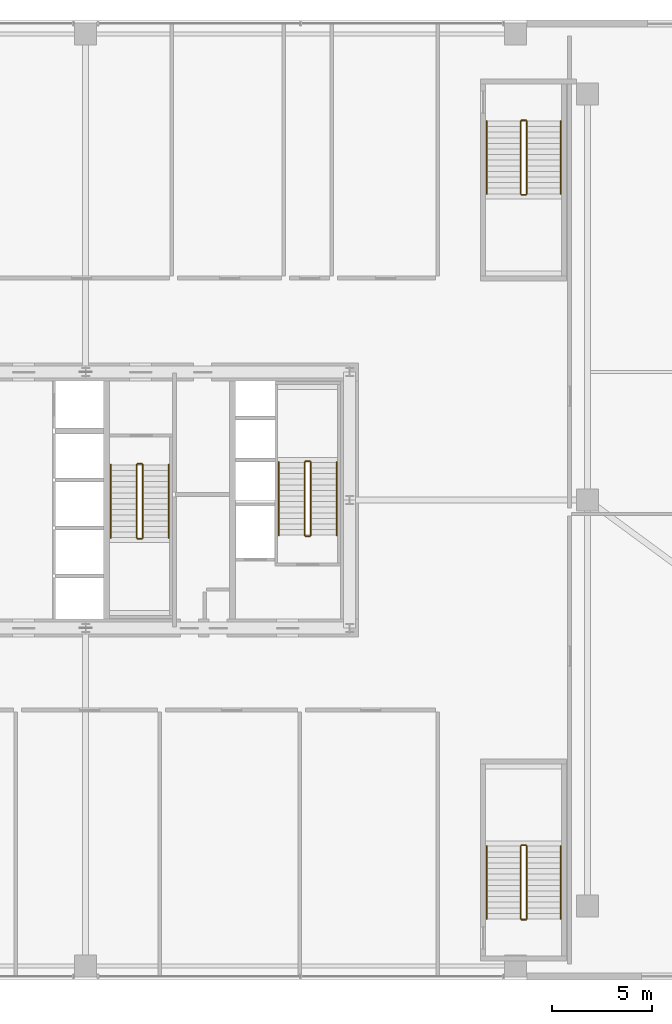
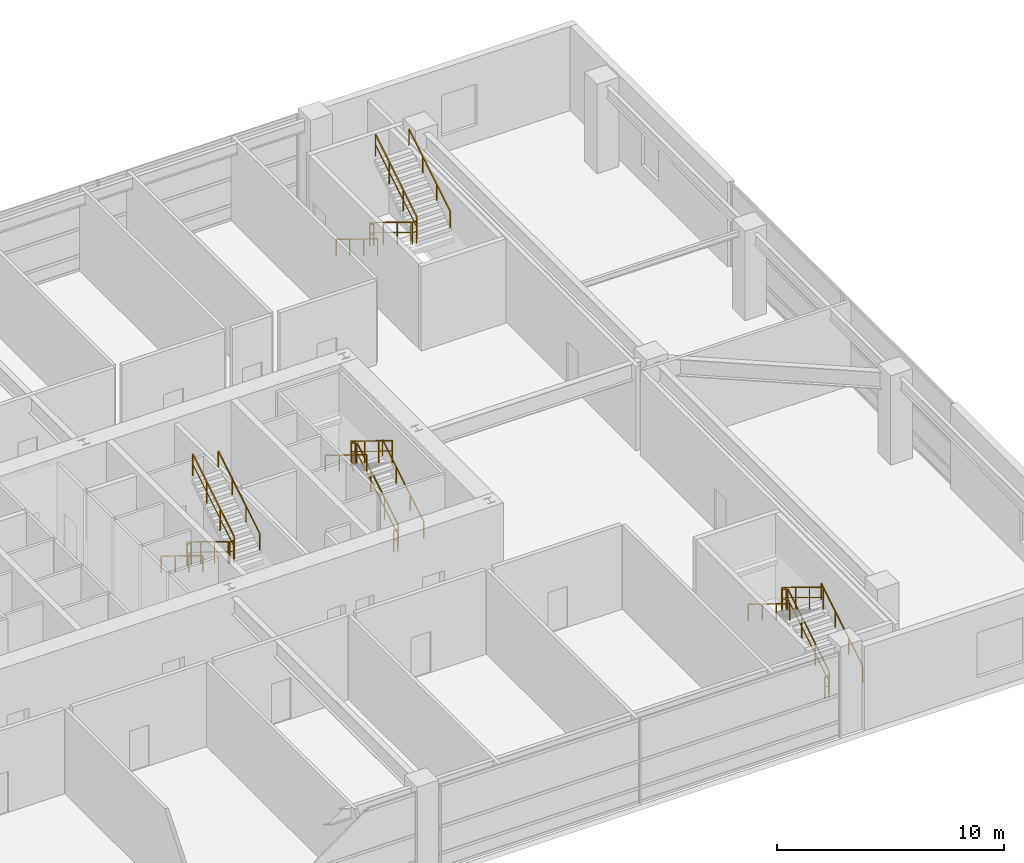
# One storey, part 39 of 39: 24 railings.
"""IFC4 building model written with IfcOpenShell, lengths in metres."""

from ifc_helpers import new_model, si_unit, direction, frame, origin, origin_2d, place, context, subcontext, project, spatial, rectangle, extrude, source, transform, mapped, material, layer, layer_set, type_object, element, save


model = new_model("IFC4")

# Units and contexts
model_context = context("Model", 3, precision=1e-05, world=origin(), true_north=direction((0.0, 1.0)))
body_context = subcontext(model_context, "Body", "Model", "MODEL_VIEW")
ifc_project = project(units=[si_unit("LENGTHUNIT", "METRE"), si_unit("AREAUNIT", "SQUARE_METRE"), si_unit("VOLUMEUNIT", "CUBIC_METRE"), si_unit("PLANEANGLEUNIT", "RADIAN"), si_unit("MASSUNIT", "GRAM", prefix="KILO"), si_unit("THERMODYNAMICTEMPERATUREUNIT", "KELVIN"), si_unit("POWERUNIT", "WATT")], contexts=[model_context])

# Site, building, storey
site_placement = place(None, origin())
site = spatial("IfcSite", under=ifc_project, at=site_placement, CompositionType="ELEMENT")
building_placement = place(site_placement, origin())
building = spatial("IfcBuilding", under=site, at=building_placement, Name="Yuzanri Waterfront Tower", CompositionType="ELEMENT")
storey_placement = place(building_placement, frame((0.0, 0.0, 15.0)))
storey = spatial("IfcBuildingStorey", under=building, at=storey_placement, Name="L04", CompositionType="ELEMENT", Elevation=15.0)

# Railings
ifc_material_1 = material(Name="Painted Galvanized Fire Steel", Category="steel")
ifc_layer_1 = layer(ifc_material_1, 0.06005859375)
ifc_layer_set_1 = layer_set([ifc_layer_1], Name="Painted Galvanized Fire Steel")
railing_type_1 = type_object("IfcRailingType", Name="Painted Steel Stairwell Guardrail 1120", PredefinedType="GUARDRAIL", material=ifc_layer_set_1)
shared_shape_1 = source(origin(), body_context, "Body", "SweptSolid", [
    extrude(rectangle(XDim=0.050048828125, YDim=0.050048828125, at=origin_2d()), frame((0.0, 0.0, 1.1748046875), z_axis=(-1.0, 0.0, 0.0), x_axis=(0.0, -1.0, 0.0)), (0.0, 0.0, 1.0), 0.199951171875),
    extrude(rectangle(XDim=0.035888671875, YDim=0.030029296875, at=origin_2d()), frame((0.0, 0.0, 0.6240234375), z_axis=(-1.0, 0.0, 0.0), x_axis=(0.0, -1.0, 0.0)), (0.0, 0.0, 1.0), 0.199951171875),
    extrude(rectangle(XDim=0.0458984375, YDim=0.0458984375, at=origin_2d()), origin(), (0.0, 0.0, 1.0), 1.14990234375),
    extrude(rectangle(XDim=0.0458984375, YDim=0.0458984375, at=origin_2d()), frame((-0.199951171875, 0.0, 0.0)), (0.0, 0.0, 1.0), 1.14990234375),
])
for number, where, name in (
    (1, (48.199951171875, 27.72998046875, 2.39990234375), "L04 ST-02 stair guard 2"),
    (2, (48.199951171875, 23.989990234375, 0.0), "L04 ST-02 stair guard 4"),
    (3, (59.0, 8.5400390625, 2.39990234375), "L04 PST-02 stair guard 2"),
    (4, (59.0, 4.800048828125, 0.0), "L04 PST-02 stair guard 4"),
):
    element("IfcRailing", number, at=place(storey_placement, frame(where)), inside=storey, type_object=railing_type_1, Name=name, PredefinedType="GUARDRAIL", context=body_context, shape_type="MappedRepresentation", body=[
        mapped(shared_shape_1, transform((0.0, 0.0, 0.0), scale=1.0)),
    ])
shared_shape_2 = source(origin(), body_context, "Body", "SweptSolid", [
    extrude(rectangle(XDim=0.050048828125, YDim=0.050048828125, at=origin_2d()), frame((0.0, 0.0, 1.1748046875), z_axis=(0.0, 0.852850264322, 0.5221555579), x_axis=(-1.0, 0.0, 0.0)), (0.0, 0.0, 1.0), 4.267822265625),
    extrude(rectangle(XDim=0.035888671875, YDim=0.030029296875, at=origin_2d()), frame((0.0, 0.0, 0.6240234375), z_axis=(0.0, 0.852850264322, 0.5221555579), x_axis=(-1.0, 0.0, 0.0)), (0.0, 0.0, 1.0), 4.267822265625),
    extrude(rectangle(XDim=0.0458984375, YDim=0.0458984375, at=origin_2d()), origin(), (0.0, 0.0, 1.0), 1.14990234375),
    extrude(rectangle(XDim=0.0458984375, YDim=0.0458984375, at=origin_2d()), frame((0.0, 1.21337890625, 0.742919921875)), (0.0, 0.0, 1.0), 1.14990234375),
    extrude(rectangle(XDim=0.0458984375, YDim=0.0458984375, at=origin_2d()), frame((0.0, 2.426513671875, 1.485595703125)), (0.0, 0.0, 1.0), 1.14990234375),
    extrude(rectangle(XDim=0.0458984375, YDim=0.0458984375, at=origin_2d()), frame((0.0, 3.639892578125, 2.228515625)), (0.0, 0.0, 1.0), 1.14990234375),
])
for number, where, name in (
    (5, (48.25, 24.0400390625, 0.17138671875), "L04 ST-02 stair guard 1"),
    (6, (59.050048828125, 4.85009765625, 0.17138671875), "L04 PST-02 stair guard 1"),
    (7, (59.050048828125, 41.110107421875, 2.571533203125), "L04 PST-03 stair guard 3"),
):
    element("IfcRailing", number, at=place(storey_placement, frame(where)), inside=storey, type_object=railing_type_1, Name=name, PredefinedType="GUARDRAIL", context=body_context, shape_type="MappedRepresentation", body=[
        mapped(shared_shape_2, transform((0.0, 0.0, 0.0), scale=1.0)),
    ])
shared_shape_3 = source(origin(), body_context, "Body", "SweptSolid", [
    extrude(rectangle(XDim=0.050048828125, YDim=0.050048828125, at=origin_2d()), frame((0.0, 0.0, 1.1748046875), z_axis=(0.0, -0.852850264322, 0.5221555579), x_axis=(1.0, 0.0, 0.0)), (0.0, 0.0, 1.0), 4.267822265625),
    extrude(rectangle(XDim=0.035888671875, YDim=0.030029296875, at=origin_2d()), frame((0.0, 0.0, 0.6240234375), z_axis=(0.0, -0.852850264322, 0.5221555579), x_axis=(1.0, 0.0, 0.0)), (0.0, 0.0, 1.0), 4.267822265625),
    extrude(rectangle(XDim=0.0458984375, YDim=0.0458984375, at=origin_2d()), origin(), (0.0, 0.0, 1.0), 1.14990234375),
    extrude(rectangle(XDim=0.0458984375, YDim=0.0458984375, at=origin_2d()), frame((0.0, -1.21337890625, 0.742919921875)), (0.0, 0.0, 1.0), 1.14990234375),
    extrude(rectangle(XDim=0.0458984375, YDim=0.0458984375, at=origin_2d()), frame((0.0, -2.426513671875, 1.485595703125)), (0.0, 0.0, 1.0), 1.14990234375),
    extrude(rectangle(XDim=0.0458984375, YDim=0.0458984375, at=origin_2d()), frame((0.0, -3.639892578125, 2.228515625)), (0.0, 0.0, 1.0), 1.14990234375),
])
for number, where, name in (
    (8, (47.949951171875, 27.679931640625, 2.571533203125), "L04 ST-02 stair guard 3"),
    (9, (58.75, 8.489990234375, 2.571533203125), "L04 PST-02 stair guard 3"),
    (10, (58.75, 44.75, 0.17138671875), "L04 PST-03 stair guard 1"),
):
    element("IfcRailing", number, at=place(storey_placement, frame(where)), inside=storey, type_object=railing_type_1, Name=name, PredefinedType="GUARDRAIL", context=body_context, shape_type="MappedRepresentation", body=[
        mapped(shared_shape_3, transform((0.0, 0.0, 0.0), scale=1.0)),
    ])
ifc_material_2 = material(Name="Anodized Architectural Bronze", Category="metal")
ifc_layer_2 = layer(ifc_material_2, 0.050048828125)
ifc_layer_set_2 = layer_set([ifc_layer_2], Name="Anodized Architectural Bronze")
railing_type_2 = type_object("IfcRailingType", Name="Brushed Bronze Stair Pitch Handrail 920", PredefinedType="HANDRAIL", material=ifc_layer_set_2)
shared_shape_4 = source(origin(), body_context, "Body", "SweptSolid", [
    extrude(rectangle(XDim=0.050048828125, YDim=0.050048828125, at=origin_2d()), frame((0.0, 0.0, 0.875), z_axis=(0.0, 0.852850264322, 0.5221555579), x_axis=(-1.0, 0.0, 0.0)), (0.0, 0.0, 1.0), 4.267822265625),
    extrude(rectangle(XDim=0.0458984375, YDim=0.0458984375, at=origin_2d()), origin(), (0.0, 0.0, 1.0), 0.849853515625),
    extrude(rectangle(XDim=0.0458984375, YDim=0.0458984375, at=origin_2d()), frame((0.0, 1.21337890625, 0.742919921875)), (0.0, 0.0, 1.0), 0.849853515625),
    extrude(rectangle(XDim=0.0458984375, YDim=0.0458984375, at=origin_2d()), frame((0.0, 2.426513671875, 1.485595703125)), (0.0, 0.0, 1.0), 0.849853515625),
    extrude(rectangle(XDim=0.0458984375, YDim=0.0458984375, at=origin_2d()), frame((0.0, 3.639892578125, 2.228515625)), (0.0, 0.0, 1.0), 0.849853515625),
])
for number, where, name in (
    (11, (49.550048828125, 24.0400390625, 0.17138671875), "L04 ST-02 stair handrail 1"),
    (12, (60.75, 4.85009765625, 0.17138671875), "L04 PST-02 stair handrail 1"),
    (13, (60.75, 41.110107421875, 2.571533203125), "L04 PST-03 stair handrail 2"),
):
    element("IfcRailing", number, at=place(storey_placement, frame(where)), inside=storey, type_object=railing_type_2, Name=name, PredefinedType="HANDRAIL", context=body_context, shape_type="MappedRepresentation", body=[
        mapped(shared_shape_4, transform((0.0, 0.0, 0.0), scale=1.0)),
    ])
shared_shape_5 = source(origin(), body_context, "Body", "SweptSolid", [
    extrude(rectangle(XDim=0.050048828125, YDim=0.050048828125, at=origin_2d()), frame((0.0, 0.0, 0.875), z_axis=(0.0, -0.852850264322, 0.5221555579), x_axis=(1.0, 0.0, 0.0)), (0.0, 0.0, 1.0), 4.267822265625),
    extrude(rectangle(XDim=0.0458984375, YDim=0.0458984375, at=origin_2d()), origin(), (0.0, 0.0, 1.0), 0.849853515625),
    extrude(rectangle(XDim=0.0458984375, YDim=0.0458984375, at=origin_2d()), frame((0.0, -1.21337890625, 0.742919921875)), (0.0, 0.0, 1.0), 0.849853515625),
    extrude(rectangle(XDim=0.0458984375, YDim=0.0458984375, at=origin_2d()), frame((0.0, -2.426513671875, 1.485595703125)), (0.0, 0.0, 1.0), 0.849853515625),
    extrude(rectangle(XDim=0.0458984375, YDim=0.0458984375, at=origin_2d()), frame((0.0, -3.639892578125, 2.228515625)), (0.0, 0.0, 1.0), 0.849853515625),
])
for number, where, name in (
    (14, (46.64990234375, 27.679931640625, 2.571533203125), "L04 ST-02 stair handrail 2"),
    (15, (57.050048828125, 8.489990234375, 2.571533203125), "L04 PST-02 stair handrail 2"),
    (16, (57.050048828125, 44.75, 0.17138671875), "L04 PST-03 stair handrail 1"),
):
    element("IfcRailing", number, at=place(storey_placement, frame(where)), inside=storey, type_object=railing_type_2, Name=name, PredefinedType="HANDRAIL", context=body_context, shape_type="MappedRepresentation", body=[
        mapped(shared_shape_5, transform((0.0, 0.0, 0.0), scale=1.0)),
    ])
shared_shape_6 = source(origin(), body_context, "Body", "SweptSolid", [
    extrude(rectangle(XDim=0.050048828125, YDim=0.050048828125, at=origin_2d()), frame((0.0, 0.0, 1.1748046875), z_axis=(1.0, 0.0, 0.0), x_axis=(0.0, 1.0, 0.0)), (0.0, 0.0, 1.0), 0.199951171875),
    extrude(rectangle(XDim=0.035888671875, YDim=0.030029296875, at=origin_2d()), frame((0.0, 0.0, 0.6240234375), z_axis=(1.0, 0.0, 0.0), x_axis=(0.0, 1.0, 0.0)), (0.0, 0.0, 1.0), 0.199951171875),
    extrude(rectangle(XDim=0.0458984375, YDim=0.0458984375, at=origin_2d()), origin(), (0.0, 0.0, 1.0), 1.14990234375),
    extrude(rectangle(XDim=0.0458984375, YDim=0.0458984375, at=origin_2d()), frame((0.199951171875, 0.0, 0.0)), (0.0, 0.0, 1.0), 1.14990234375),
])
for number, where, name in (
    (17, (39.60009765625, 23.8701171875, 2.39990234375), "L04 ST-03 stair guard 2"),
    (18, (39.60009765625, 27.610107421875, 0.0), "L04 ST-03 stair guard 4"),
    (19, (58.800048828125, 41.06005859375, 2.39990234375), "L04 PST-03 stair guard 2"),
    (20, (58.800048828125, 44.800048828125, 0.0), "L04 PST-03 stair guard 4"),
):
    element("IfcRailing", number, at=place(storey_placement, frame(where)), inside=storey, type_object=railing_type_1, Name=name, PredefinedType="GUARDRAIL", context=body_context, shape_type="MappedRepresentation", body=[
        mapped(shared_shape_6, transform((0.0, 0.0, 0.0), scale=1.0)),
    ])
shared_shape_7 = source(origin(), body_context, "Body", "SweptSolid", [
    extrude(rectangle(XDim=0.050048828125, YDim=0.050048828125, at=origin_2d()), frame((0.0, 0.0, 1.1748046875), z_axis=(0.0, -0.852865859571, 0.52213008492), x_axis=(1.0, 0.0, 0.0)), (0.0, 0.0, 1.0), 4.26806640625),
    extrude(rectangle(XDim=0.035888671875, YDim=0.030029296875, at=origin_2d()), frame((0.0, 0.0, 0.6240234375), z_axis=(0.0, -0.852865859571, 0.52213008492), x_axis=(1.0, 0.0, 0.0)), (0.0, 0.0, 1.0), 4.26806640625),
    extrude(rectangle(XDim=0.0458984375, YDim=0.0458984375, at=origin_2d()), origin(), (0.0, 0.0, 1.0), 1.14990234375),
    extrude(rectangle(XDim=0.0458984375, YDim=0.0458984375, at=origin_2d()), frame((0.0, -1.21337890625, 0.742919921875)), (0.0, 0.0, 1.0), 1.14990234375),
    extrude(rectangle(XDim=0.0458984375, YDim=0.0458984375, at=origin_2d()), frame((0.0, -2.4267578125, 1.485595703125)), (0.0, 0.0, 1.0), 1.14990234375),
    extrude(rectangle(XDim=0.0458984375, YDim=0.0458984375, at=origin_2d()), frame((0.0, -3.64013671875, 2.228515625)), (0.0, 0.0, 1.0), 1.14990234375),
])
railing_1_placement = place(storey_placement, frame((39.550048828125, 27.56005859375, 0.17138671875)))
element("IfcRailing", 21, at=railing_1_placement, inside=storey, type_object=railing_type_1, Name="L04 ST-03 stair guard 1", PredefinedType="GUARDRAIL", context=body_context, shape_type="MappedRepresentation", body=[
    mapped(shared_shape_7, transform((0.0, 0.0, 0.0), scale=1.0)),
])
shared_shape_8 = source(origin(), body_context, "Body", "SweptSolid", [
    extrude(rectangle(XDim=0.050048828125, YDim=0.050048828125, at=origin_2d()), frame((0.0, 0.0, 1.1748046875), z_axis=(0.0, 0.852865859571, 0.52213008492), x_axis=(-1.0, 0.0, 0.0)), (0.0, 0.0, 1.0), 4.26806640625),
    extrude(rectangle(XDim=0.035888671875, YDim=0.030029296875, at=origin_2d()), frame((0.0, 0.0, 0.6240234375), z_axis=(0.0, 0.852865859571, 0.52213008492), x_axis=(-1.0, 0.0, 0.0)), (0.0, 0.0, 1.0), 4.26806640625),
    extrude(rectangle(XDim=0.0458984375, YDim=0.0458984375, at=origin_2d()), origin(), (0.0, 0.0, 1.0), 1.14990234375),
    extrude(rectangle(XDim=0.0458984375, YDim=0.0458984375, at=origin_2d()), frame((0.0, 1.21337890625, 0.742919921875)), (0.0, 0.0, 1.0), 1.14990234375),
    extrude(rectangle(XDim=0.0458984375, YDim=0.0458984375, at=origin_2d()), frame((0.0, 2.4267578125, 1.485595703125)), (0.0, 0.0, 1.0), 1.14990234375),
    extrude(rectangle(XDim=0.0458984375, YDim=0.0458984375, at=origin_2d()), frame((0.0, 3.64013671875, 2.228515625)), (0.0, 0.0, 1.0), 1.14990234375),
])
railing_2_placement = place(storey_placement, frame((39.85009765625, 23.919921875, 2.571533203125)))
element("IfcRailing", 22, at=railing_2_placement, inside=storey, type_object=railing_type_1, Name="L04 ST-03 stair guard 3", PredefinedType="GUARDRAIL", context=body_context, shape_type="MappedRepresentation", body=[
    mapped(shared_shape_8, transform((0.0, 0.0, 0.0), scale=1.0)),
])
shared_shape_9 = source(origin(), body_context, "Body", "SweptSolid", [
    extrude(rectangle(XDim=0.050048828125, YDim=0.050048828125, at=origin_2d()), frame((0.0, 0.0, 0.875), z_axis=(0.0, -0.852865859571, 0.52213008492), x_axis=(1.0, 0.0, 0.0)), (0.0, 0.0, 1.0), 4.26806640625),
    extrude(rectangle(XDim=0.0458984375, YDim=0.0458984375, at=origin_2d()), origin(), (0.0, 0.0, 1.0), 0.849853515625),
    extrude(rectangle(XDim=0.0458984375, YDim=0.0458984375, at=origin_2d()), frame((0.0, -1.21337890625, 0.742919921875)), (0.0, 0.0, 1.0), 0.849853515625),
    extrude(rectangle(XDim=0.0458984375, YDim=0.0458984375, at=origin_2d()), frame((0.0, -2.4267578125, 1.485595703125)), (0.0, 0.0, 1.0), 0.849853515625),
    extrude(rectangle(XDim=0.0458984375, YDim=0.0458984375, at=origin_2d()), frame((0.0, -3.64013671875, 2.228515625)), (0.0, 0.0, 1.0), 0.849853515625),
])
railing_3_placement = place(storey_placement, frame((38.25, 27.56005859375, 0.17138671875)))
element("IfcRailing", 23, at=railing_3_placement, inside=storey, type_object=railing_type_2, Name="L04 ST-03 stair handrail 1", PredefinedType="HANDRAIL", context=body_context, shape_type="MappedRepresentation", body=[
    mapped(shared_shape_9, transform((0.0, 0.0, 0.0), scale=1.0)),
])
shared_shape_10 = source(origin(), body_context, "Body", "SweptSolid", [
    extrude(rectangle(XDim=0.050048828125, YDim=0.050048828125, at=origin_2d()), frame((0.0, 0.0, 0.875), z_axis=(0.0, 0.852865859571, 0.52213008492), x_axis=(-1.0, 0.0, 0.0)), (0.0, 0.0, 1.0), 4.26806640625),
    extrude(rectangle(XDim=0.0458984375, YDim=0.0458984375, at=origin_2d()), origin(), (0.0, 0.0, 1.0), 0.849853515625),
    extrude(rectangle(XDim=0.0458984375, YDim=0.0458984375, at=origin_2d()), frame((0.0, 1.21337890625, 0.742919921875)), (0.0, 0.0, 1.0), 0.849853515625),
    extrude(rectangle(XDim=0.0458984375, YDim=0.0458984375, at=origin_2d()), frame((0.0, 2.4267578125, 1.485595703125)), (0.0, 0.0, 1.0), 0.849853515625),
    extrude(rectangle(XDim=0.0458984375, YDim=0.0458984375, at=origin_2d()), frame((0.0, 3.64013671875, 2.228515625)), (0.0, 0.0, 1.0), 0.849853515625),
])
railing_4_placement = place(storey_placement, frame((41.14990234375, 23.919921875, 2.571533203125)))
element("IfcRailing", 24, at=railing_4_placement, inside=storey, type_object=railing_type_2, Name="L04 ST-03 stair handrail 2", PredefinedType="HANDRAIL", context=body_context, shape_type="MappedRepresentation", body=[
    mapped(shared_shape_10, transform((0.0, 0.0, 0.0), scale=1.0)),
])

save(model, "model.ifc")
